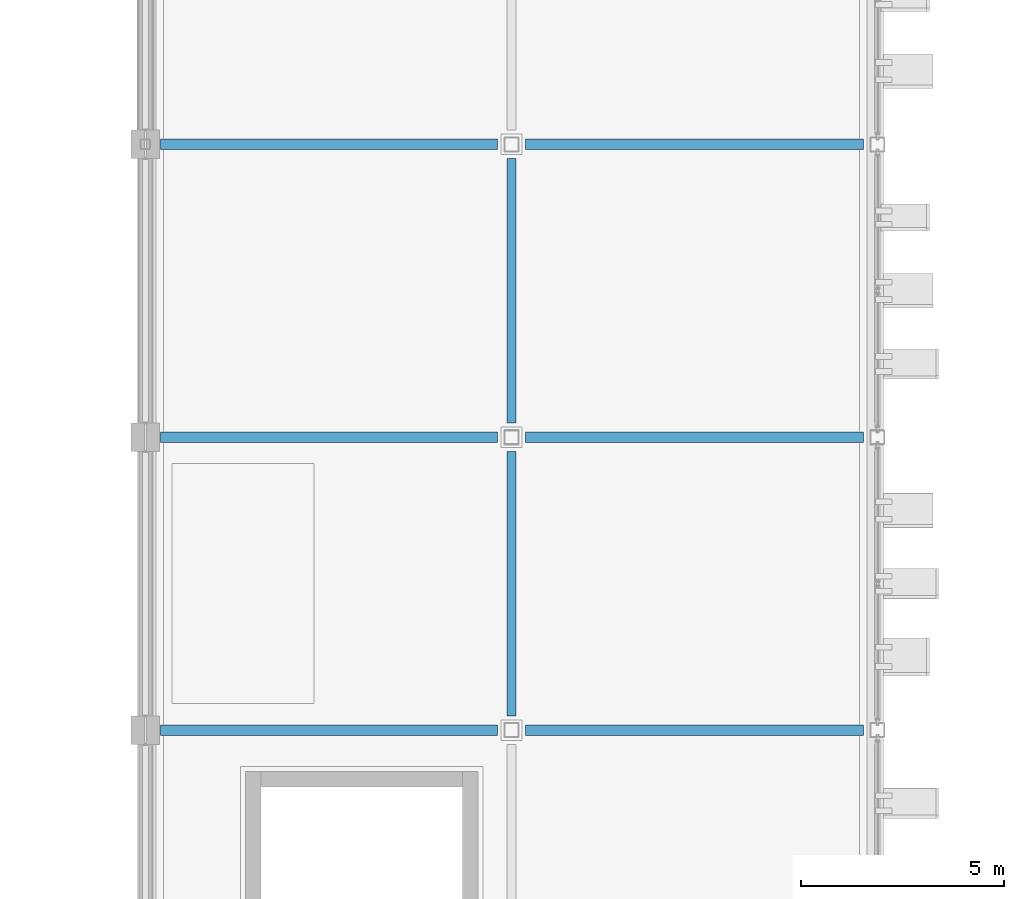
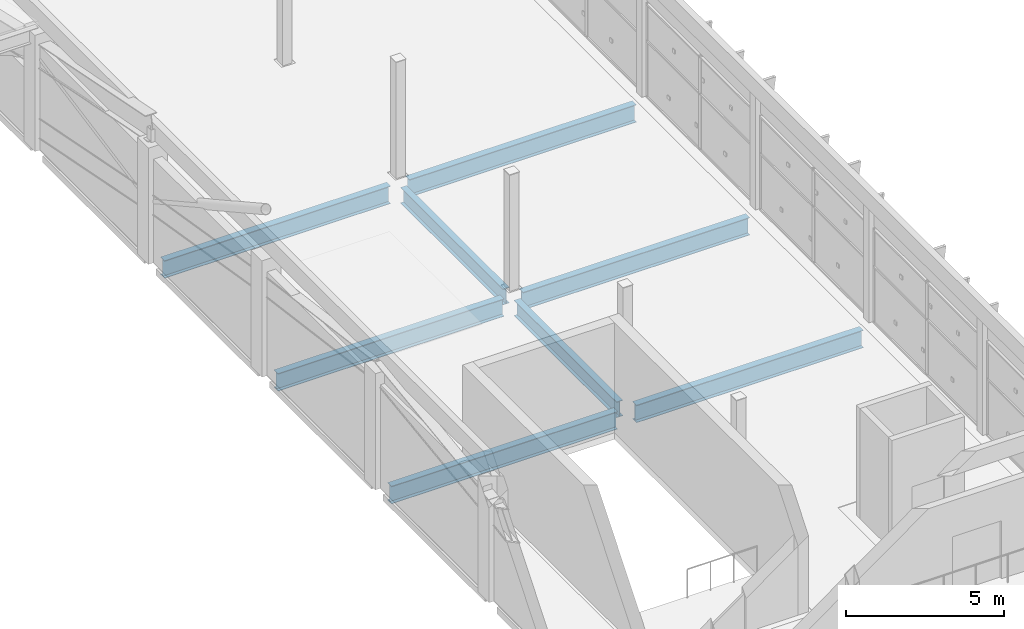
# One storey, part 49 of 124: 8 beams.
"""IFC4 building model written with IfcOpenShell, lengths in metres."""

import ifcopenshell
import ifcopenshell.guid

model = None  # the IFC model being written
_history = None  # IfcOwnerHistory: only IFC2X3 demands one
_inside = {}  # id of a spatial element -> (the spatial element, [elements in it])
_under = {}  # id of a project, library or spatial element -> (it, [spatial elements below it])
_declared = {}  # id of a project -> (the project, [libraries it declares])
_typed = {}  # id of a type object -> (the type object, [elements of that type])
_made_of = {}  # id of a material, layer set ... -> (it, [elements and type objects made of it])


def new_model(schema):
    """Start an empty IFC model of exactly this schema.

    Asked for "IFC4X3", IfcOpenShell would pick the latest addendum, in which some entities
    have other attributes; the version numbers below select the first issue.
    IFC2X3 requires an IfcOwnerHistory on every rooted entity: one is made here for all.
    """
    global model, _history
    if schema == "IFC4X3":
        model = ifcopenshell.file(schema_version=(4, 3, 0, 0))
    else:
        model = ifcopenshell.file(schema=schema)
    _inside.clear()
    _under.clear()
    _declared.clear()
    _typed.clear()
    _made_of.clear()
    _history = None
    if model.schema == "IFC2X3":
        org = make("IfcOrganization", Name="unknown")
        user = make(
            "IfcPersonAndOrganization",
            ThePerson=make("IfcPerson", FamilyName="unknown"),
            TheOrganization=org,
        )
        app = make(
            "IfcApplication",
            ApplicationDeveloper=org,
            Version="unknown",
            ApplicationFullName="unknown",
            ApplicationIdentifier="unknown",
        )
        _history = make(
            "IfcOwnerHistory",
            OwningUser=user,
            OwningApplication=app,
            ChangeAction="ADDED",
            CreationDate=0,
        )
    return model


def make(cls, **values):
    """One entity of the class cls with the attributes given. An attribute that is None is left unset."""
    return model.create_entity(
        cls, **{name: value for name, value in values.items() if value is not None}
    )


def rooted(cls, **values):
    """An entity with a GlobalId (a new one), such as an element, a storey or a relation."""
    return make(cls, GlobalId=ifcopenshell.guid.new(), OwnerHistory=_history, **values)


def si_unit(unit_type, name, prefix=None):
    """IfcSIUnit, for example si_unit("LENGTHUNIT", "METRE", prefix="MILLI")."""
    return make("IfcSIUnit", UnitType=unit_type, Prefix=prefix, Name=name)


def assignment(units):
    """IfcUnitAssignment: the units of a project."""
    return None if units is None else make("IfcUnitAssignment", Units=units)


def point(xyz):
    """IfcCartesianPoint."""
    return None if xyz is None else make("IfcCartesianPoint", Coordinates=xyz)


def direction(xyz):
    """IfcDirection."""
    return None if xyz is None else make("IfcDirection", DirectionRatios=xyz)


def frame(location, z_axis=None, x_axis=None):
    """IfcAxis2Placement3D, a coordinate frame: its origin and axes. An axis left out is left unset."""
    return make(
        "IfcAxis2Placement3D",
        Location=point(location),
        Axis=direction(z_axis),
        RefDirection=direction(x_axis),
    )


def frame_2d(location, x_axis=None):
    """IfcAxis2Placement2D, a coordinate frame in the plane: its origin and x axis."""
    return make(
        "IfcAxis2Placement2D", Location=point(location), RefDirection=direction(x_axis)
    )


def origin():
    """The frame at (0, 0, 0) with its axes left unset."""
    return frame((0.0, 0.0, 0.0))


def origin_2d():
    """The frame at (0, 0) in the plane with its x axis left unset."""
    return frame_2d((0.0, 0.0))


def place(relative_to, where):
    """IfcLocalPlacement: puts the frame where relative to a parent placement (None: the world)."""
    return make(
        "IfcLocalPlacement", PlacementRelTo=relative_to, RelativePlacement=where
    )


def context(
    kind, dimensions, precision=None, world=None, true_north=None, identifier=None
):
    """IfcGeometricRepresentationContext, for example the 3D "Model" context."""
    return make(
        "IfcGeometricRepresentationContext",
        ContextIdentifier=identifier,
        ContextType=kind,
        CoordinateSpaceDimension=dimensions,
        Precision=precision,
        WorldCoordinateSystem=world,
        TrueNorth=true_north,
    )


def subcontext(parent, identifier, kind, view, scale=None):
    """IfcGeometricRepresentationSubContext, for example "Body" below "Model"."""
    return make(
        "IfcGeometricRepresentationSubContext",
        ContextIdentifier=identifier,
        ContextType=kind,
        ParentContext=parent,
        TargetScale=scale,
        TargetView=view,
    )


def project(units=None, contexts=None):
    """IfcProject with its units and contexts."""
    return rooted(
        "IfcProject",
        Name="project",
        RepresentationContexts=contexts,
        UnitsInContext=assignment(units),
    )


def spatial(cls, under=None, at=None, **own):
    """A site, building, storey or space (cls), placed at a placement, below another one or the project."""
    s = rooted(cls, ObjectPlacement=at, **own)
    if under is not None:
        _under.setdefault(under.id(), (under, []))[1].append(s)
    return s


def profile(cls, at=None, kind="AREA", **sizes):
    """A parametric profile (cls). Its sizes go by their IFC names, for example OverallWidth=200.0."""
    return make(cls, ProfileType=kind, Position=at, **sizes)


def i_section(**sizes):
    """IfcIShapeProfileDef."""
    return profile("IfcIShapeProfileDef", **sizes)


def extrude(swept, where, along, depth):
    """IfcExtrudedAreaSolid: the profile swept, set in the frame where, extruded along a direction by depth."""
    return make(
        "IfcExtrudedAreaSolid",
        SweptArea=swept,
        Position=where,
        ExtrudedDirection=direction(along),
        Depth=depth,
    )


def shape(context_of_items, identifier, shape_type, items):
    """IfcShapeRepresentation: the items that make up one representation, for example the "Body"."""
    return make(
        "IfcShapeRepresentation",
        ContextOfItems=context_of_items,
        RepresentationIdentifier=identifier,
        RepresentationType=shape_type,
        Items=items,
    )


def material(Name=None, Category=None):
    """IfcMaterial."""
    return make("IfcMaterial", Name=Name, Category=Category)


def material_profile(
    of_material, cross_section, Name=None, Category=None, Priority=None
):
    """IfcMaterialProfile: a cross section and its material."""
    return make(
        "IfcMaterialProfile",
        Name=Name,
        Material=of_material,
        Profile=cross_section,
        Priority=Priority,
        Category=Category,
    )


def profile_set(profiles, Name=None, composite=None):
    """IfcMaterialProfileSet."""
    return make(
        "IfcMaterialProfileSet",
        Name=Name,
        MaterialProfiles=profiles,
        CompositeProfile=composite,
    )


def made_of(thing, what):
    """Note that an element or type object is made of a material, layer set ...; save() writes the relation."""
    if what is not None:
        _made_of.setdefault(what.id(), (what, []))[1].append(thing)
    return thing


def type_object(cls, material=None, **own):
    """A type object (cls), such as IfcWallType, which elements share."""
    return made_of(rooted(cls, **own), material)


def element(
    cls,
    number,
    at=None,
    inside=None,
    cuts=None,
    type_object=None,
    material=None,
    context=None,
    identifier="Body",
    shape_type=None,
    held_by="IfcProductDefinitionShape",
    body=None,
    shapes=None,
    **own,
):
    """One element of the class cls, such as IfcWall. Its Tag is "e" and its number.

    at: its placement. inside: the storey or other place that contains it. cuts: it is an
    opening in that element (IfcRelVoidsElement). A single representation is given by context,
    identifier, shape_type and body (its items); several are given by shapes. held_by: the class
    of the entity that holds the representations. save() writes the other relations.
    """
    e = rooted(cls, Tag="e%d" % number, ObjectPlacement=at, **own)
    if body is not None:
        shapes = [shape(context, identifier, shape_type, body)]
    if shapes is not None:
        e.Representation = make(held_by, Representations=shapes)
    if inside is not None:
        _inside.setdefault(inside.id(), (inside, []))[1].append(e)
    if cuts is not None:
        rooted(
            "IfcRelVoidsElement", RelatingBuildingElement=cuts, RelatedOpeningElement=e
        )
    if type_object is not None:
        _typed.setdefault(type_object.id(), (type_object, []))[1].append(e)
    return made_of(e, material)


def aggregate(whole, parts):
    """IfcRelAggregates: a whole, such as a stair, and the parts it consists of."""
    return rooted("IfcRelAggregates", RelatingObject=whole, RelatedObjects=parts)


def save(model, path):
    """Write the relations noted so far, then the file.

    IfcRelAggregates (storeys below a building ...), IfcRelContainedInSpatialStructure (elements
    in a storey), IfcRelDefinesByType, IfcRelAssociatesMaterial and IfcRelDeclares: one each for
    every whole, place, type object, material and project.
    """
    for whole, parts in _under.values():
        aggregate(whole, parts)
    for where, things in _inside.values():
        rooted(
            "IfcRelContainedInSpatialStructure",
            RelatedElements=things,
            RelatingStructure=where,
        )
    for kind, things in _typed.values():
        rooted("IfcRelDefinesByType", RelatedObjects=things, RelatingType=kind)
    for what, things in _made_of.values():
        rooted("IfcRelAssociatesMaterial", RelatedObjects=things, RelatingMaterial=what)
    for by, libraries in _declared.values():
        rooted("IfcRelDeclares", RelatingContext=by, RelatedDefinitions=libraries)
    model.write(path)


model = new_model("IFC4")

# Units and contexts
model_context = context("Model", 3, precision=1e-05, world=origin(), true_north=direction((0.0, 1.0)))
body_context = subcontext(model_context, "Body", "Model", "MODEL_VIEW")
ifc_project = project(units=[si_unit("LENGTHUNIT", "METRE"), si_unit("AREAUNIT", "SQUARE_METRE"), si_unit("VOLUMEUNIT", "CUBIC_METRE"), si_unit("PLANEANGLEUNIT", "RADIAN"), si_unit("MASSUNIT", "GRAM", prefix="KILO")], contexts=[model_context])

# Site, building, storey
site_placement = place(None, origin())
site = spatial("IfcSite", under=ifc_project, at=site_placement, CompositionType="ELEMENT")
building_placement = place(site_placement, origin())
building = spatial("IfcBuilding", under=site, at=building_placement, Name="Celestram Park Convention Centre", CompositionType="ELEMENT")
storey_placement = place(building_placement, frame((0.0, 0.0, 15.300048828125)))
storey = spatial("IfcBuildingStorey", under=building, at=storey_placement, Name="L03", CompositionType="ELEMENT", Elevation=15.300048828125)

# Beams
ifc_material = material(Name="Steel ASTM A992 Grade 50", Category="steel")
ifc_material_profile_1 = material_profile(ifc_material, i_section(OverallWidth=0.22900390625, OverallDepth=0.612060546875, WebThickness=0.011962890625, FlangeThickness=0.01953125, at=origin_2d()), Name="W24X84")
ifc_profile_set_1 = profile_set([ifc_material_profile_1], Name="Steel ASTM A992 Grade 50")
beam_type_1 = type_object("IfcBeamType", Name="STR-BM-W24X84", PredefinedType="BEAM", material=ifc_profile_set_1)
for number, where, z_axis, x_axis, name in (
    (1, (135.0, 65.14794921875, -0.55615234375), (0.0, 1.0, 0.0), (-1.0, 0.0, 0.0), "Primary Y-girder BG-L03-0189"),
    (2, (135.0, 72.347900390625, -0.55615234375), (0.0, 1.0, 0.0), (-1.0, 0.0, 0.0), "Primary Y-girder BG-L03-0191"),
):
    element("IfcBeam", number, at=place(storey_placement, frame(where, z_axis=z_axis, x_axis=x_axis)), inside=storey, type_object=beam_type_1, Name=name, PredefinedType="BEAM", context=body_context, shape_type="SweptSolid", body=[
        extrude(i_section(OverallWidth=0.22900390625, OverallDepth=0.612060546875, WebThickness=0.011962890625, FlangeThickness=0.01953125, at=origin_2d()), origin(), (0.0, 0.0, 1.0), 6.504150390625),
    ])
ifc_material_profile_2 = material_profile(ifc_material, i_section(OverallWidth=0.25390625, OverallDepth=0.68310546875, WebThickness=0.012451171875, FlangeThickness=0.01904296875, at=origin_2d()), Name="W27X94")
ifc_profile_set_2 = profile_set([ifc_material_profile_2], Name="Steel ASTM A992 Grade 50")
beam_type_2 = type_object("IfcBeamType", Name="STR-BM-W27X94", PredefinedType="BEAM", material=ifc_profile_set_2)
for number, where, z_axis, x_axis, name in (
    (3, (126.373046875, 64.800048828125, -0.591552734375), (1.0, 0.0, 0.0), (0.0, 1.0, 0.0), "Primary X-girder BG-L03-0154"),
    (4, (126.373046875, 72.0, -0.591552734375), (1.0, 0.0, 0.0), (0.0, 1.0, 0.0), "Primary X-girder BG-L03-0156"),
    (5, (126.373046875, 79.199951171875, -0.591552734375), (1.0, 0.0, 0.0), (0.0, 1.0, 0.0), "Primary X-girder BG-L03-0158"),
):
    element("IfcBeam", number, at=place(storey_placement, frame(where, z_axis=z_axis, x_axis=x_axis)), inside=storey, type_object=beam_type_2, Name=name, PredefinedType="BEAM", context=body_context, shape_type="SweptSolid", body=[
        extrude(i_section(OverallWidth=0.25390625, OverallDepth=0.68310546875, WebThickness=0.012451171875, FlangeThickness=0.01904296875, at=origin_2d()), origin(), (0.0, 0.0, 1.0), 8.279052734375),
    ])
for number, where, z_axis, x_axis, name in (
    (6, (135.347900390625, 64.800048828125, -0.591552734375), (1.0, 0.0, 0.0), (0.0, 1.0, 0.0), "Primary X-girder BG-L03-0188"),
    (7, (135.347900390625, 72.0, -0.591552734375), (1.0, 0.0, 0.0), (0.0, 1.0, 0.0), "Primary X-girder BG-L03-0190"),
    (8, (135.347900390625, 79.199951171875, -0.591552734375), (1.0, 0.0, 0.0), (0.0, 1.0, 0.0), "Primary X-girder BG-L03-0192"),
):
    element("IfcBeam", number, at=place(storey_placement, frame(where, z_axis=z_axis, x_axis=x_axis)), inside=storey, type_object=beam_type_2, Name=name, PredefinedType="BEAM", context=body_context, shape_type="SweptSolid", body=[
        extrude(i_section(OverallWidth=0.25390625, OverallDepth=0.68310546875, WebThickness=0.012451171875, FlangeThickness=0.01904296875, at=origin_2d()), origin(), (0.0, 0.0, 1.0), 8.30419921875),
    ])

save(model, "model.ifc")
